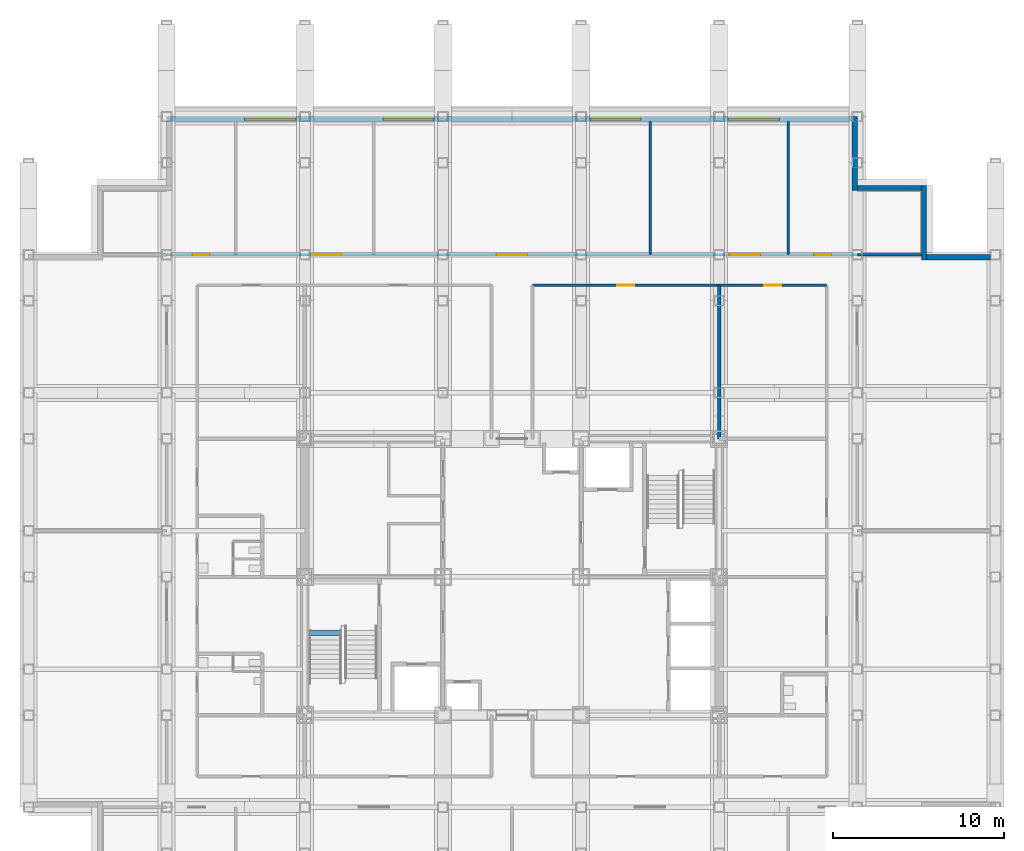
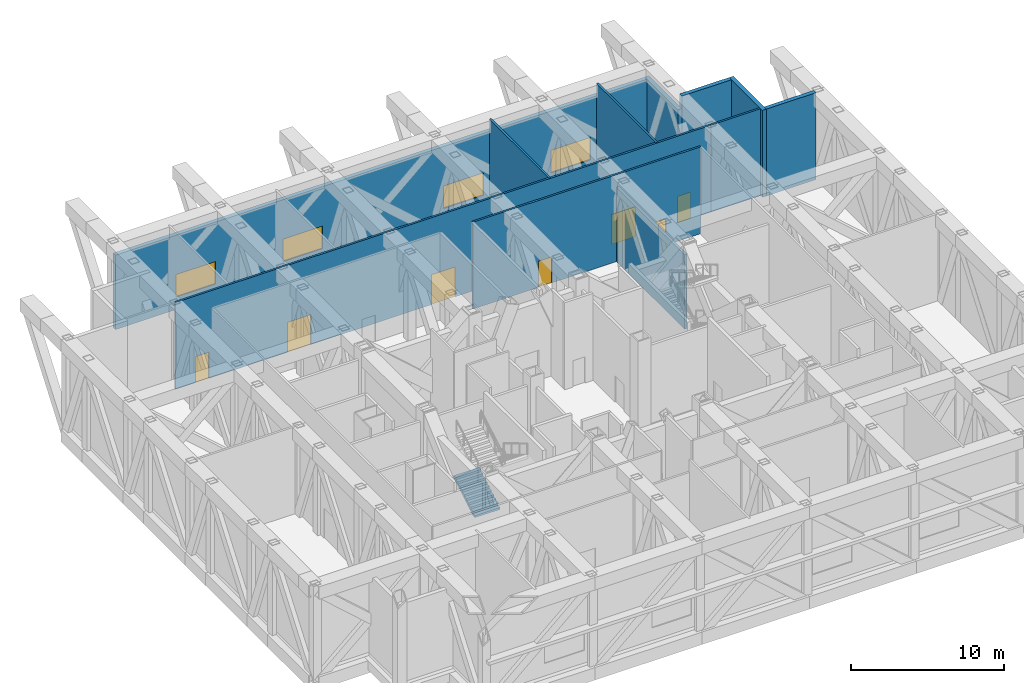
# One storey, part 10 of 13: 11 walls, 7 doors, 4 windows, 1 stair flight, 11 openings, 1 element without a shape of its own.
"""IFC4 building model written with IfcOpenShell, lengths in metres."""

from ifc_helpers import new_model, si_unit, direction, frame, frame_2d, origin, place, context, subcontext, project, spatial, rectangle, extrude, polygons, source, transform, mapped, material, layer, layer_set, type_object, element, fill, aggregate, save


model = new_model("IFC4")

# Units and contexts
model_context = context("Model", 3, precision=1e-05, world=origin(), true_north=direction((0.0, 1.0)))
body_context = subcontext(model_context, "Body", "Model", "MODEL_VIEW")
ifc_project = project(units=[si_unit("LENGTHUNIT", "METRE"), si_unit("AREAUNIT", "SQUARE_METRE"), si_unit("VOLUMEUNIT", "CUBIC_METRE"), si_unit("PLANEANGLEUNIT", "RADIAN"), si_unit("MASSUNIT", "GRAM", prefix="KILO")], contexts=[model_context])

# Site, building, storey
site_placement = place(None, origin())
site = spatial("IfcSite", under=ifc_project, at=site_placement, CompositionType="ELEMENT")
building_placement = place(site_placement, origin())
building = spatial("IfcBuilding", under=site, at=building_placement, Name="Kopane Lantern Tower", CompositionType="ELEMENT")
storey_placement = place(building_placement, frame((0.0, 0.0, 235.199951171875)))
storey = spatial("IfcBuildingStorey", under=building, at=storey_placement, Name="L61", CompositionType="ELEMENT", Elevation=235.199951171875)

# Wall, openings, doors
ifc_material_1 = material(Name="Gypsum board on steel studs", Category="steel")
ifc_layer_1 = layer(ifc_material_1, 0.14990234375)
ifc_layer_set_1 = layer_set([ifc_layer_1], Name="CORRIDOR WALL 150 EI 60")
wall_type_1 = type_object("IfcWallType", Name="CORRIDOR WALL 150 EI 60", PredefinedType="PARTITIONING", material=ifc_layer_set_1)
wall_1_placement = place(storey_placement, frame((8.10009765625, 51.300048828125, 0.0), z_axis=(0.0, 0.0, 1.0), x_axis=(1.0, 0.0, 0.0)))
wall_1 = element("IfcWall", 1, at=wall_1_placement, inside=storey, type_object=wall_type_1, Name="Corridor Wall 150 Ei 60 L61", PredefinedType="PARTITIONING", context=body_context, shape_type="SweptSolid", body=[
    extrude(rectangle(XDim=40.5, YDim=0.14990234375, at=frame_2d((20.25, 0.0))), origin(), (0.0, 0.0, 1.0), 6.949951171875),
])
opening_1_placement = place(wall_1_placement, frame((8.449951171875, 0.0, 0.0)))
opening_1 = element("IfcOpeningElement", 2, at=opening_1_placement, cuts=wall_1, Name="Opening L61-018", PredefinedType="OPENING", context=body_context, shape_type="SweptSolid", body=[
    extrude(rectangle(XDim=1.800048828125, YDim=2.39990234375, at=frame_2d((0.89990234375, 1.199951171875))), frame((0.0, 0.0849609375, 0.0), z_axis=(0.0, -1.0, 0.0), x_axis=(1.0, 0.0, 0.0)), (0.0, 0.0, 1.0), 0.169921875),
])
opening_2_placement = place(wall_1_placement, frame((19.35009765625, 0.0, 0.0)))
opening_2 = element("IfcOpeningElement", 3, at=opening_2_placement, cuts=wall_1, Name="Opening L61-019", PredefinedType="OPENING", context=body_context, shape_type="SweptSolid", body=[
    extrude(rectangle(XDim=1.800048828125, YDim=2.39990234375, at=frame_2d((0.89990234375, 1.199951171875))), frame((0.0, 0.0849609375, 0.0), z_axis=(0.0, -1.0, 0.0), x_axis=(1.0, 0.0, 0.0)), (0.0, 0.0, 1.0), 0.169921875),
])
opening_3_placement = place(wall_1_placement, frame((33.0, 0.0, 0.0)))
opening_3 = element("IfcOpeningElement", 4, at=opening_3_placement, cuts=wall_1, Name="Opening L61-020", PredefinedType="OPENING", context=body_context, shape_type="SweptSolid", body=[
    extrude(rectangle(XDim=1.800048828125, YDim=2.39990234375, at=frame_2d((0.89990234375, 1.199951171875))), frame((0.0, 0.0849609375, 0.0), z_axis=(0.0, -1.0, 0.0), x_axis=(1.0, 0.0, 0.0)), (0.0, 0.0, 1.0), 0.169921875),
])
opening_4_placement = place(wall_1_placement, frame((37.97509765625, 0.0, 0.0)))
opening_4 = element("IfcOpeningElement", 5, at=opening_4_placement, cuts=wall_1, Name="Opening L61-027", PredefinedType="OPENING", context=body_context, shape_type="SweptSolid", body=[
    extrude(rectangle(XDim=1.0, YDim=2.10009765625, at=frame_2d((0.5, 1.050048828125))), frame((0.0, 0.0849609375, 0.0), z_axis=(0.0, -1.0, 0.0), x_axis=(1.0, 0.0, 0.0)), (0.0, 0.0, 1.0), 0.169921875),
])
opening_5_placement = place(wall_1_placement, frame((1.52490234375, 0.0, 0.0)))
opening_5 = element("IfcOpeningElement", 6, at=opening_5_placement, cuts=wall_1, Name="Opening L61-028", PredefinedType="OPENING", context=body_context, shape_type="SweptSolid", body=[
    extrude(rectangle(XDim=1.0, YDim=2.10009765625, at=frame_2d((0.5, 1.050048828125))), frame((0.0, 0.0849609375, 0.0), z_axis=(0.0, -1.0, 0.0), x_axis=(1.0, 0.0, 0.0)), (0.0, 0.0, 1.0), 0.169921875),
])
ifc_material_2 = material(Name="Steel door set", Category="steel")
door_type_1 = type_object("IfcDoorType", Name="DOOR D5 1000x2100 FD60", OperationType="SINGLE_SWING_LEFT", PredefinedType="DOOR", material=ifc_material_2)
door_1_placement = place(opening_4_placement, origin())
door_1 = element("IfcDoor", 7, at=door_1_placement, inside=storey, type_object=door_type_1, Name="Door L61-027", OperationType="SINGLE_SWING_LEFT", OverallHeight=2.10009765625, OverallWidth=1.0, PredefinedType="DOOR", context=body_context, shape_type="SweptSolid", body=[
    extrude(rectangle(XDim=1.0, YDim=2.10009765625, at=frame_2d((0.5, 1.050048828125))), frame((0.0, 0.02490234375, 0.0), z_axis=(0.0, -1.0, 0.0), x_axis=(1.0, 0.0, 0.0)), (0.0, 0.0, 1.0), 0.050048828125),
])
fill(opening_4, door_1)
door_2_placement = place(opening_5_placement, origin())
door_2 = element("IfcDoor", 8, at=door_2_placement, inside=storey, type_object=door_type_1, Name="Door L61-028", OperationType="SINGLE_SWING_RIGHT", OverallHeight=2.10009765625, OverallWidth=1.0, PredefinedType="DOOR", context=body_context, shape_type="SweptSolid", body=[
    extrude(rectangle(XDim=1.0, YDim=2.10009765625, at=frame_2d((0.5, 1.050048828125))), frame((0.0, 0.02490234375, 0.0), z_axis=(0.0, -1.0, 0.0), x_axis=(1.0, 0.0, 0.0)), (0.0, 0.0, 1.0), 0.050048828125),
])
fill(opening_5, door_2)
ifc_material_3 = material(Name="Steel door set", Category="steel")
door_type_2 = type_object("IfcDoorType", Name="DOOR D6 1800x2400 FD30S", OperationType="SINGLE_SWING_LEFT", PredefinedType="DOOR", material=ifc_material_3)
door_3_placement = place(opening_1_placement, origin())
door_3 = element("IfcDoor", 9, at=door_3_placement, inside=storey, type_object=door_type_2, Name="Door L61-018", OperationType="DOUBLE_DOOR_SINGLE_SWING", OverallHeight=2.39990234375, OverallWidth=1.800048828125, PredefinedType="DOOR", context=body_context, shape_type="SweptSolid", body=[
    extrude(rectangle(XDim=1.800048828125, YDim=2.39990234375, at=frame_2d((0.89990234375, 1.199951171875))), frame((0.0, 0.02490234375, 0.0), z_axis=(0.0, -1.0, 0.0), x_axis=(1.0, 0.0, 0.0)), (0.0, 0.0, 1.0), 0.050048828125),
])
fill(opening_1, door_3)
ifc_material_4 = material(Name="Steel door set", Category="steel")
door_type_3 = type_object("IfcDoorType", Name="DOOR D8 1800x2400 FD120", OperationType="SINGLE_SWING_LEFT", PredefinedType="DOOR", material=ifc_material_4)
door_4_placement = place(opening_2_placement, origin())
door_4 = element("IfcDoor", 10, at=door_4_placement, inside=storey, type_object=door_type_3, Name="Door L61-019", OperationType="DOUBLE_DOOR_SINGLE_SWING", OverallHeight=2.39990234375, OverallWidth=1.800048828125, PredefinedType="DOOR", context=body_context, shape_type="SweptSolid", body=[
    extrude(rectangle(XDim=1.800048828125, YDim=2.39990234375, at=frame_2d((0.89990234375, 1.199951171875))), frame((0.0, 0.02490234375, 0.0), z_axis=(0.0, -1.0, 0.0), x_axis=(1.0, 0.0, 0.0)), (0.0, 0.0, 1.0), 0.050048828125),
])
fill(opening_2, door_4)
door_5_placement = place(opening_3_placement, origin())
door_5 = element("IfcDoor", 11, at=door_5_placement, inside=storey, type_object=door_type_3, Name="Door L61-020", OperationType="DOUBLE_DOOR_SINGLE_SWING", OverallHeight=2.39990234375, OverallWidth=1.800048828125, PredefinedType="DOOR", context=body_context, shape_type="SweptSolid", body=[
    extrude(rectangle(XDim=1.800048828125, YDim=2.39990234375, at=frame_2d((0.89990234375, 1.199951171875))), frame((0.0, 0.02490234375, 0.0), z_axis=(0.0, -1.0, 0.0), x_axis=(1.0, 0.0, 0.0)), (0.0, 0.0, 1.0), 0.050048828125),
])
fill(opening_3, door_5)

wall_2_placement = place(storey_placement, frame((46.800048828125, 49.5, 0.0), z_axis=(0.0, 0.0, 1.0), x_axis=(-1.0, 0.0, 0.0)))
wall_2 = element("IfcWall", 12, at=wall_2_placement, inside=storey, type_object=wall_type_1, Name="Corridor Wall 150 Ei 60 L61", PredefinedType="PARTITIONING", context=body_context, shape_type="SweptSolid", body=[
    extrude(rectangle(XDim=17.239990234375, YDim=0.14990234375, at=frame_2d((8.6201171875, 0.0))), origin(), (0.0, 0.0, 1.0), 6.949951171875),
])
opening_6_placement = place(wall_2_placement, frame((11.27490234375, 0.0, 0.0)))
opening_6 = element("IfcOpeningElement", 13, at=opening_6_placement, cuts=wall_2, Name="Opening L61-014", PredefinedType="OPENING", context=body_context, shape_type="SweptSolid", body=[
    extrude(rectangle(XDim=1.0, YDim=2.10009765625, at=frame_2d((0.5, 1.050048828125))), frame((0.0, 0.0849609375, 0.0), z_axis=(0.0, -1.0, 0.0), x_axis=(1.0, 0.0, 0.0)), (0.0, 0.0, 1.0), 0.169921875),
])
opening_7_placement = place(wall_2_placement, frame((2.64990234375, 0.0, 0.0)))
opening_7 = element("IfcOpeningElement", 14, at=opening_7_placement, cuts=wall_2, Name="Opening L61-015", PredefinedType="OPENING", context=body_context, shape_type="SweptSolid", body=[
    extrude(rectangle(XDim=1.0, YDim=2.10009765625, at=frame_2d((0.5, 1.050048828125))), frame((0.0, 0.0849609375, 0.0), z_axis=(0.0, -1.0, 0.0), x_axis=(1.0, 0.0, 0.0)), (0.0, 0.0, 1.0), 0.169921875),
])
door_6_placement = place(opening_6_placement, origin())
door_6 = element("IfcDoor", 15, at=door_6_placement, inside=storey, type_object=door_type_1, Name="Door L61-014", OperationType="SINGLE_SWING_RIGHT", OverallHeight=2.10009765625, OverallWidth=1.0, PredefinedType="DOOR", context=body_context, shape_type="SweptSolid", body=[
    extrude(rectangle(XDim=1.0, YDim=2.10009765625, at=frame_2d((0.5, 1.050048828125))), frame((0.0, 0.02490234375, 0.0), z_axis=(0.0, -1.0, 0.0), x_axis=(1.0, 0.0, 0.0)), (0.0, 0.0, 1.0), 0.050048828125),
])
fill(opening_6, door_6)
door_7_placement = place(opening_7_placement, origin())
door_7 = element("IfcDoor", 16, at=door_7_placement, inside=storey, type_object=door_type_1, Name="Door L61-015", OperationType="SINGLE_SWING_LEFT", OverallHeight=2.10009765625, OverallWidth=1.0, PredefinedType="DOOR", context=body_context, shape_type="SweptSolid", body=[
    extrude(rectangle(XDim=1.0, YDim=2.10009765625, at=frame_2d((0.5, 1.050048828125))), frame((0.0, 0.02490234375, 0.0), z_axis=(0.0, -1.0, 0.0), x_axis=(1.0, 0.0, 0.0)), (0.0, 0.0, 1.0), 0.050048828125),
])
fill(opening_7, door_7)

# Walls
ifc_material_5 = material(Name="Gypsum board on steel studs", Category="steel")
ifc_layer_2 = layer(ifc_material_5, 0.14990234375)
ifc_layer_set_2 = layer_set([ifc_layer_2], Name="DEMISING WALL 150 EI 60")
wall_type_2 = type_object("IfcWallType", Name="DEMISING WALL 150 EI 60", PredefinedType="PARTITIONING", material=ifc_layer_set_2)
wall_3_placement = place(storey_placement, frame((36.449951171875, 51.300048828125, 0.0), z_axis=(0.0, 0.0, 1.0), x_axis=(0.0, 1.0, 0.0)))
element("IfcWall", 17, at=wall_3_placement, inside=storey, type_object=wall_type_2, Name="Demising Wall 150 Ei 60 L61", PredefinedType="PARTITIONING", context=body_context, shape_type="SweptSolid", body=[
    extrude(rectangle(XDim=7.800048828125, YDim=0.14990234375, at=frame_2d((3.89990234375, 0.0))), origin(), (0.0, 0.0, 1.0), 6.949951171875),
])
wall_4_placement = place(storey_placement, frame((48.60009765625, 51.300048828125, 0.0), z_axis=(0.0, 0.0, 1.0), x_axis=(1.0, 0.0, 0.0)))
element("IfcWall", 18, at=wall_4_placement, inside=storey, type_object=wall_type_2, Name="Demising Wall 150 Ei 60 L61", PredefinedType="PARTITIONING", context=body_context, shape_type="SweptSolid", body=[
    extrude(rectangle(XDim=3.75, YDim=0.14990234375, at=frame_2d((1.875, 0.0))), origin(), (0.0, 0.0, 1.0), 6.949951171875),
])
wall_5_placement = place(storey_placement, frame((44.550048828125, 51.300048828125, 0.0), z_axis=(0.0, 0.0, 1.0), x_axis=(0.0, 1.0, 0.0)))
element("IfcWall", 19, at=wall_5_placement, inside=storey, type_object=wall_type_2, Name="Demising Wall 150 Ei 60 L61", PredefinedType="PARTITIONING", context=body_context, shape_type="SweptSolid", body=[
    extrude(rectangle(XDim=7.800048828125, YDim=0.14990234375, at=frame_2d((3.89990234375, 0.0))), origin(), (0.0, 0.0, 1.0), 6.949951171875),
])
ifc_material_6 = material(Name="Terracotta rainscreen on light steel framing", Category="masonry")
ifc_layer_3 = layer(ifc_material_6, 0.300048828125)
ifc_layer_set_3 = layer_set([ifc_layer_3], Name="EXTERNAL WALL EW1 300 TERRACOTTA")
wall_type_3 = type_object("IfcWallType", Name="EXTERNAL WALL EW1 300 TERRACOTTA", PredefinedType="SOLIDWALL", material=ifc_layer_set_3)
wall_6_placement = place(storey_placement, frame((56.39990234375, 51.14990234375, 0.0), z_axis=(0.0, 0.0, 1.0), x_axis=(-1.0, 0.0, 0.0)))
element("IfcWall", 20, at=wall_6_placement, inside=storey, type_object=wall_type_3, Name="External wall N L61", PredefinedType="SOLIDWALL", context=body_context, shape_type="SweptSolid", body=[
    extrude(rectangle(XDim=3.75, YDim=0.300048828125, at=frame_2d((1.875, 0.0))), origin(), (0.0, 0.0, 1.0), 6.949951171875),
])
wall_7_placement = place(storey_placement, frame((52.5, 51.0, 0.0), z_axis=(0.0, 0.0, 1.0), x_axis=(0.0, 1.0, 0.0)))
element("IfcWall", 21, at=wall_7_placement, inside=storey, type_object=wall_type_3, Name="External wall E L61", PredefinedType="SOLIDWALL", context=body_context, shape_type="SweptSolid", body=[
    extrude(rectangle(XDim=4.35009765625, YDim=0.300048828125, at=frame_2d((2.175048828125, 0.0))), origin(), (0.0, 0.0, 1.0), 6.949951171875),
])
wall_8_placement = place(storey_placement, frame((52.35009765625, 55.199951171875, 0.0), z_axis=(0.0, 0.0, 1.0), x_axis=(-1.0, 0.0, 0.0)))
element("IfcWall", 22, at=wall_8_placement, inside=storey, type_object=wall_type_3, Name="External wall N L61", PredefinedType="SOLIDWALL", context=body_context, shape_type="SweptSolid", body=[
    extrude(rectangle(XDim=3.75, YDim=0.300048828125, at=frame_2d((1.875, 0.0))), origin(), (0.0, 0.0, 1.0), 6.949951171875),
])
wall_9_placement = place(storey_placement, frame((48.449951171875, 55.050048828125, 0.0), z_axis=(0.0, 0.0, 1.0), x_axis=(0.0, 1.0, 0.0)))
element("IfcWall", 23, at=wall_9_placement, inside=storey, type_object=wall_type_3, Name="External wall E L61", PredefinedType="SOLIDWALL", context=body_context, shape_type="SweptSolid", body=[
    extrude(rectangle(XDim=4.349853515625, YDim=0.300048828125, at=frame_2d((2.1748046875, 0.0))), origin(), (0.0, 0.0, 1.0), 5.949951171875),
])

# Wall, openings, windows
wall_10_placement = place(storey_placement, frame((48.300048828125, 59.25, 0.0), z_axis=(0.0, 0.0, 1.0), x_axis=(-1.0, 0.0, 0.0)))
wall_10 = element("IfcWall", 24, at=wall_10_placement, inside=storey, type_object=wall_type_3, Name="External wall N L61", PredefinedType="SOLIDWALL", context=body_context, shape_type="SweptSolid", body=[
    extrude(rectangle(XDim=40.199951171875, YDim=0.300048828125, at=frame_2d((20.10009765625, 0.0))), origin(), (0.0, 0.0, 1.0), 5.949951171875),
])
opening_8_placement = place(wall_10_placement, frame((4.27490234375, 0.0, 1.0)))
opening_8 = element("IfcOpeningElement", 25, at=opening_8_placement, cuts=wall_10, Name="Opening LV300180", PredefinedType="OPENING", context=body_context, shape_type="SweptSolid", body=[
    extrude(rectangle(XDim=3.0, YDim=1.800048828125, at=frame_2d((1.5, 0.89990234375))), frame((0.0, 0.159912109375, 0.0), z_axis=(0.0, -1.0, 0.0), x_axis=(1.0, 0.0, 0.0)), (0.0, 0.0, 1.0), 0.320068359375),
])
opening_9_placement = place(wall_10_placement, frame((12.375, 0.0, 1.0)))
opening_9 = element("IfcOpeningElement", 26, at=opening_9_placement, cuts=wall_10, Name="Opening LV300180", PredefinedType="OPENING", context=body_context, shape_type="SweptSolid", body=[
    extrude(rectangle(XDim=3.0, YDim=1.800048828125, at=frame_2d((1.5, 0.89990234375))), frame((0.0, 0.159912109375, 0.0), z_axis=(0.0, -1.0, 0.0), x_axis=(1.0, 0.0, 0.0)), (0.0, 0.0, 1.0), 0.320068359375),
])
opening_10_placement = place(wall_10_placement, frame((24.52490234375, 0.0, 1.0)))
opening_10 = element("IfcOpeningElement", 27, at=opening_10_placement, cuts=wall_10, Name="Opening LV300180", PredefinedType="OPENING", context=body_context, shape_type="SweptSolid", body=[
    extrude(rectangle(XDim=3.0, YDim=1.800048828125, at=frame_2d((1.5, 0.89990234375))), frame((0.0, 0.159912109375, 0.0), z_axis=(0.0, -1.0, 0.0), x_axis=(1.0, 0.0, 0.0)), (0.0, 0.0, 1.0), 0.320068359375),
])
opening_11_placement = place(wall_10_placement, frame((32.625, 0.0, 1.0)))
opening_11 = element("IfcOpeningElement", 28, at=opening_11_placement, cuts=wall_10, Name="Opening LV300180", PredefinedType="OPENING", context=body_context, shape_type="SweptSolid", body=[
    extrude(rectangle(XDim=3.0, YDim=1.800048828125, at=frame_2d((1.5, 0.89990234375))), frame((0.0, 0.159912109375, 0.0), z_axis=(0.0, -1.0, 0.0), x_axis=(1.0, 0.0, 0.0)), (0.0, 0.0, 1.0), 0.320068359375),
])
ifc_material_7 = material(Name="Aluminium louvre blades", Category="aluminium")
window_type = type_object("IfcWindowType", Name="PLANT LOUVRE LV300180 3000x1800x150", PartitioningType="SINGLE_PANEL", PredefinedType="USERDEFINED", material=ifc_material_7)
window_1_placement = place(opening_8_placement, origin())
window_1 = element("IfcWindow", 29, at=window_1_placement, inside=storey, type_object=window_type, Name="Louvre N L61", ObjectType="LOUVRE", OverallHeight=1.800048828125, OverallWidth=3.0, PartitioningType="SINGLE_PANEL", PredefinedType="USERDEFINED", context=body_context, shape_type="SweptSolid", body=[
    extrude(rectangle(XDim=3.0, YDim=1.800048828125, at=frame_2d((1.5, 0.89990234375))), frame((0.0, 0.074951171875, 0.0), z_axis=(0.0, -1.0, 0.0), x_axis=(1.0, 0.0, 0.0)), (0.0, 0.0, 1.0), 0.14990234375),
])
fill(opening_8, window_1)
window_2_placement = place(opening_9_placement, origin())
window_2 = element("IfcWindow", 30, at=window_2_placement, inside=storey, type_object=window_type, Name="Louvre N L61", ObjectType="LOUVRE", OverallHeight=1.800048828125, OverallWidth=3.0, PartitioningType="SINGLE_PANEL", PredefinedType="USERDEFINED", context=body_context, shape_type="SweptSolid", body=[
    extrude(rectangle(XDim=3.0, YDim=1.800048828125, at=frame_2d((1.5, 0.89990234375))), frame((0.0, 0.074951171875, 0.0), z_axis=(0.0, -1.0, 0.0), x_axis=(1.0, 0.0, 0.0)), (0.0, 0.0, 1.0), 0.14990234375),
])
fill(opening_9, window_2)
window_3_placement = place(opening_10_placement, origin())
window_3 = element("IfcWindow", 31, at=window_3_placement, inside=storey, type_object=window_type, Name="Louvre N L61", ObjectType="LOUVRE", OverallHeight=1.800048828125, OverallWidth=3.0, PartitioningType="SINGLE_PANEL", PredefinedType="USERDEFINED", context=body_context, shape_type="SweptSolid", body=[
    extrude(rectangle(XDim=3.0, YDim=1.800048828125, at=frame_2d((1.5, 0.89990234375))), frame((0.0, 0.074951171875, 0.0), z_axis=(0.0, -1.0, 0.0), x_axis=(1.0, 0.0, 0.0)), (0.0, 0.0, 1.0), 0.14990234375),
])
fill(opening_10, window_3)
window_4_placement = place(opening_11_placement, origin())
window_4 = element("IfcWindow", 32, at=window_4_placement, inside=storey, type_object=window_type, Name="Louvre N L61", ObjectType="LOUVRE", OverallHeight=1.800048828125, OverallWidth=3.0, PartitioningType="SINGLE_PANEL", PredefinedType="USERDEFINED", context=body_context, shape_type="SweptSolid", body=[
    extrude(rectangle(XDim=3.0, YDim=1.800048828125, at=frame_2d((1.5, 0.89990234375))), frame((0.0, 0.074951171875, 0.0), z_axis=(0.0, -1.0, 0.0), x_axis=(1.0, 0.0, 0.0)), (0.0, 0.0, 1.0), 0.14990234375),
])
fill(opening_11, window_4)

# Wall
ifc_material_8 = material(Name="Concrete masonry", Category="masonry")
ifc_layer_4 = layer(ifc_material_8, 0.199951171875)
ifc_layer_set_4 = layer_set([ifc_layer_4], Name="PLANT ROOM WALL 200 EI 120")
wall_type_4 = type_object("IfcWallType", Name="PLANT ROOM WALL 200 EI 120", PredefinedType="SOLIDWALL", material=ifc_layer_set_4)
wall_11_placement = place(storey_placement, frame((40.5, 40.5, 0.0), z_axis=(0.0, 0.0, 1.0), x_axis=(0.0, 1.0, 0.0)))
element("IfcWall", 33, at=wall_11_placement, inside=storey, type_object=wall_type_4, Name="Plant Room Wall 200 Ei 120 L61", PredefinedType="SOLIDWALL", context=body_context, shape_type="SweptSolid", body=[
    extrude(rectangle(XDim=9.0, YDim=0.199951171875, at=frame_2d((4.5, 0.0))), origin(), (0.0, 0.0, 1.0), 5.949951171875),
])

# Stair, stair flight
ifc_material_9 = material(Name="Steel S355JR", Category="steel")
stair_type = type_object("IfcStairType", Name="EXIT STAIR 1900 HALF TURN", PredefinedType="HALF_TURN_STAIR", material=ifc_material_9)
stair_placement = place(storey_placement, origin())
stair = element("IfcStair", 34, at=stair_placement, inside=storey, type_object=stair_type, Name="Exit stair ST1 L61", PredefinedType="HALF_TURN_STAIR")
ifc_material_10 = material(Name="Steel S355JR", Category="steel")
stair_flight_type = type_object("IfcStairFlightType", Name="STAIR FLIGHT 1900 STEEL", PredefinedType="STRAIGHT", material=ifc_material_10)
shared_shape = source(origin(), body_context, "Body", "Tessellation", [
    polygons([(2.800048828, 0.949951172, 1.674316406), (2.520019531, 0.949951172, 1.674316406), (2.520019531, -0.949951172, 1.674316406), (2.800048828, -0.949951172, 1.674316406), (0.291992188, 0.949951172, 0.0), (2.800048828, 0.949951172, 1.499755859), (2.800048828, -0.949951172, 1.499755859), (0.291992188, -0.949951172, 0.0), (0.0, 0.949951172, 0.0), (0.0, -0.949951172, 0.0), (0.280029297, 0.949951172, 0.167480469), (0.0, 0.949951172, 0.167480469), (0.0, -0.949951172, 0.167480469), (0.280029297, -0.949951172, 0.167480469), (0.280029297, 0.949951172, 0.334960938), (0.280029297, -0.949951172, 0.334960938), (0.560058594, 0.949951172, 0.334960938), (0.560058594, -0.949951172, 0.334960938), (0.560058594, 0.949951172, 0.502441406), (0.560058594, -0.949951172, 0.502441406), (0.840087891, 0.949951172, 0.502441406), (0.840087891, -0.949951172, 0.502441406), (0.840087891, 0.949951172, 0.669677734), (0.840087891, -0.949951172, 0.669677734), (1.120117188, 0.949951172, 0.669677734), (1.120117188, -0.949951172, 0.669677734), (1.120117188, 0.949951172, 0.837158203), (1.120117188, -0.949951172, 0.837158203), (1.399902344, 0.949951172, 0.837158203), (1.399902344, -0.949951172, 0.837158203), (1.399902344, 0.949951172, 1.004638672), (1.399902344, -0.949951172, 1.004638672), (1.679931641, 0.949951172, 1.004638672), (1.679931641, -0.949951172, 1.004638672), (1.679931641, 0.949951172, 1.172119141), (1.679931641, -0.949951172, 1.172119141), (1.959960938, 0.949951172, 1.172119141), (1.959960938, -0.949951172, 1.172119141), (1.959960938, 0.949951172, 1.339599609), (1.959960938, -0.949951172, 1.339599609), (2.239990234, 0.949951172, 1.339599609), (2.239990234, -0.949951172, 1.339599609), (2.239990234, 0.949951172, 1.507080078), (2.239990234, -0.949951172, 1.507080078), (2.520019531, 0.949951172, 1.507080078), (2.520019531, -0.949951172, 1.507080078), (0.0, 0.0, 0.004526499), (0.0, 0.0, 0.009052998), (0.0, 0.0, 0.013579497), (0.0, 0.0, 0.018105997), (0.0, 0.0, 0.022632496), (0.0, 0.0, 0.027158995), (0.0, 0.0, 0.031685494), (0.0, 0.0, 0.036211993), (0.0, 0.0, 0.040738492), (0.0, 0.0, 0.045264992), (0.0, 0.0, 0.049791491), (0.0, 0.0, 0.05431799), (0.0, 0.0, 0.058844489), (0.0, 0.0, 0.063370988), (0.0, 0.0, 0.067897487), (0.0, 0.0, 0.072423986), (0.0, 0.0, 0.076950486), (0.0, 0.0, 0.081476985), (0.0, 0.0, 0.086003484), (0.0, 0.0, 0.090529983), (0.0, 0.0, 0.095056482), (0.0, 0.0, 0.099582981), (0.0, 0.0, 0.104109481), (0.0, 0.0, 0.10863598), (0.0, 0.0, 0.113162479), (0.0, 0.0, 0.117688978), (0.0, 0.0, 0.122215477), (0.0, 0.0, 0.126741976), (0.0, 0.0, 0.131268476), (0.0, 0.0, 0.135794975), (0.0, 0.0, 0.140321474), (0.0, 0.0, 0.144847973), (0.0, 0.0, 0.149374472), (0.0, 0.0, 0.153900971), (0.0, 0.0, 0.15842747), (0.0, 0.0, 0.16295397), (2.800048828, 0.0, 1.504473712), (2.800048828, 0.0, 1.509191565), (2.800048828, 0.0, 1.513909417), (2.800048828, 0.0, 1.51862727), (2.800048828, 0.0, 1.523345122), (2.800048828, 0.0, 1.528062975), (2.800048828, 0.0, 1.532780828), (2.800048828, 0.0, 1.53749868), (2.800048828, 0.0, 1.542216533), (2.800048828, 0.0, 1.546934386), (2.800048828, 0.0, 1.551652238), (2.800048828, 0.0, 1.556370091), (2.800048828, 0.0, 1.561087943), (2.800048828, 0.0, 1.565805796), (2.800048828, 0.0, 1.570523649), (2.800048828, 0.0, 1.575241501), (2.800048828, 0.0, 1.579959354), (2.800048828, 0.0, 1.584677207), (2.800048828, 0.0, 1.589395059), (2.800048828, 0.0, 1.594112912), (2.800048828, 0.0, 1.598830764), (2.800048828, 0.0, 1.603548617), (2.800048828, 0.0, 1.60826647), (2.800048828, 0.0, 1.612984322), (2.800048828, 0.0, 1.617702175), (2.800048828, 0.0, 1.622420027), (2.800048828, 0.0, 1.62713788), (2.800048828, 0.0, 1.631855733), (2.800048828, 0.0, 1.636573585), (2.800048828, 0.0, 1.641291438), (2.800048828, 0.0, 1.646009291), (2.800048828, 0.0, 1.650727143), (2.800048828, 0.0, 1.655444996), (2.800048828, 0.0, 1.660162848), (2.800048828, 0.0, 1.664880701), (2.800048828, 0.0, 1.669598554)], [[[1, 2, 3]], [[1, 3, 4]], [[5, 6, 7]], [[5, 7, 8]], [[9, 5, 8]], [[9, 8, 10]], [[11, 12, 13]], [[11, 13, 14]], [[15, 11, 14]], [[15, 14, 16]], [[17, 15, 16]], [[17, 16, 18]], [[19, 17, 18]], [[19, 18, 20]], [[21, 19, 20]], [[21, 20, 22]], [[23, 21, 22]], [[23, 22, 24]], [[25, 23, 24]], [[25, 24, 26]], [[27, 25, 26]], [[27, 26, 28]], [[29, 27, 28]], [[29, 28, 30]], [[31, 29, 30]], [[31, 30, 32]], [[33, 31, 32]], [[33, 32, 34]], [[35, 33, 34]], [[35, 34, 36]], [[37, 35, 36]], [[37, 36, 38]], [[39, 37, 38]], [[39, 38, 40]], [[41, 39, 40]], [[41, 40, 42]], [[43, 41, 42]], [[43, 42, 44]], [[45, 43, 44]], [[45, 44, 46]], [[2, 45, 46]], [[2, 46, 3]], [[45, 1, 6]], [[41, 45, 6]], [[2, 1, 45]], [[37, 41, 6]], [[43, 45, 41]], [[39, 41, 37]], [[35, 37, 33]], [[31, 33, 29]], [[5, 21, 25]], [[27, 29, 25]], [[17, 21, 5]], [[23, 25, 21]], [[11, 17, 5]], [[19, 21, 17]], [[9, 11, 5]], [[15, 17, 11]], [[12, 11, 9]], [[6, 5, 25]], [[6, 25, 29]], [[6, 29, 33]], [[6, 33, 37]], [[7, 4, 46]], [[7, 46, 42]], [[46, 4, 3]], [[7, 42, 38]], [[42, 46, 44]], [[38, 42, 40]], [[34, 38, 36]], [[30, 34, 32]], [[26, 22, 8]], [[26, 30, 28]], [[8, 22, 18]], [[22, 26, 24]], [[8, 18, 14]], [[18, 22, 20]], [[8, 14, 10]], [[14, 18, 16]], [[10, 14, 13]], [[26, 8, 7]], [[30, 26, 7]], [[34, 30, 7]], [[38, 34, 7]], [[10, 47, 9]], [[10, 48, 47]], [[9, 47, 48]], [[10, 49, 48]], [[9, 48, 49]], [[10, 50, 49]], [[9, 49, 50]], [[10, 51, 50]], [[9, 50, 51]], [[10, 52, 51]], [[9, 51, 52]], [[10, 53, 52]], [[9, 52, 53]], [[10, 54, 53]], [[9, 53, 54]], [[10, 55, 54]], [[9, 54, 55]], [[10, 56, 55]], [[9, 55, 56]], [[10, 57, 56]], [[9, 56, 57]], [[10, 58, 57]], [[9, 57, 58]], [[10, 59, 58]], [[9, 58, 59]], [[10, 60, 59]], [[9, 59, 60]], [[10, 61, 60]], [[9, 60, 61]], [[10, 62, 61]], [[9, 61, 62]], [[10, 63, 62]], [[9, 62, 63]], [[10, 64, 63]], [[9, 63, 64]], [[10, 65, 64]], [[9, 64, 65]], [[10, 66, 65]], [[9, 65, 66]], [[10, 67, 66]], [[9, 66, 67]], [[10, 68, 67]], [[9, 67, 68]], [[10, 69, 68]], [[9, 68, 69]], [[10, 70, 69]], [[9, 69, 70]], [[10, 71, 70]], [[9, 70, 71]], [[10, 72, 71]], [[9, 71, 72]], [[10, 73, 72]], [[9, 72, 73]], [[10, 74, 73]], [[9, 73, 74]], [[10, 75, 74]], [[9, 74, 75]], [[10, 76, 75]], [[9, 75, 76]], [[10, 77, 76]], [[9, 76, 77]], [[10, 78, 77]], [[9, 77, 78]], [[10, 79, 78]], [[9, 78, 79]], [[10, 80, 79]], [[9, 79, 80]], [[10, 81, 80]], [[9, 80, 81]], [[10, 82, 81]], [[9, 81, 82]], [[10, 13, 82]], [[82, 13, 12]], [[9, 82, 12]], [[7, 6, 83]], [[7, 83, 84]], [[6, 84, 83]], [[7, 84, 85]], [[6, 85, 84]], [[7, 85, 86]], [[6, 86, 85]], [[7, 86, 87]], [[6, 87, 86]], [[7, 87, 88]], [[6, 88, 87]], [[7, 88, 89]], [[6, 89, 88]], [[7, 89, 90]], [[6, 90, 89]], [[7, 90, 91]], [[6, 91, 90]], [[7, 91, 92]], [[6, 92, 91]], [[7, 92, 93]], [[6, 93, 92]], [[7, 93, 94]], [[6, 94, 93]], [[7, 94, 95]], [[6, 95, 94]], [[7, 95, 96]], [[6, 96, 95]], [[7, 96, 97]], [[6, 97, 96]], [[7, 97, 98]], [[6, 98, 97]], [[7, 98, 99]], [[6, 99, 98]], [[7, 99, 100]], [[6, 100, 99]], [[7, 100, 101]], [[6, 101, 100]], [[7, 101, 102]], [[6, 102, 101]], [[7, 102, 103]], [[6, 103, 102]], [[7, 103, 104]], [[6, 104, 103]], [[7, 104, 105]], [[6, 105, 104]], [[7, 105, 106]], [[6, 106, 105]], [[7, 106, 107]], [[6, 107, 106]], [[7, 107, 108]], [[6, 108, 107]], [[7, 108, 109]], [[6, 109, 108]], [[7, 109, 110]], [[6, 110, 109]], [[7, 110, 111]], [[6, 111, 110]], [[7, 111, 112]], [[6, 112, 111]], [[7, 112, 113]], [[6, 113, 112]], [[7, 113, 114]], [[6, 114, 113]], [[7, 114, 115]], [[6, 115, 114]], [[7, 115, 116]], [[6, 116, 115]], [[7, 116, 117]], [[6, 117, 116]], [[7, 117, 118]], [[6, 118, 117]], [[7, 118, 4]], [[118, 1, 4]], [[6, 1, 118]]], closed=True),
])
stair_flight_placement = place(storey_placement, frame((17.39990234375, 26.449951171875, 1.842041015625), z_axis=(0.0, 0.0, 1.0), x_axis=(0.0, 1.0, 0.0)))
stair_flight = element("IfcStairFlight", 35, at=stair_flight_placement, type_object=stair_flight_type, Name="ST1 flight 2", NumberOfRisers=11, NumberOfTreads=10, PredefinedType="STRAIGHT", RiserHeight=0.16744186, TreadLength=0.28, context=body_context, shape_type="MappedRepresentation", body=[
    mapped(shared_shape, transform((0.0, 0.0, 0.0))),
])
aggregate(stair, [stair_flight])

save(model, "model.ifc")
